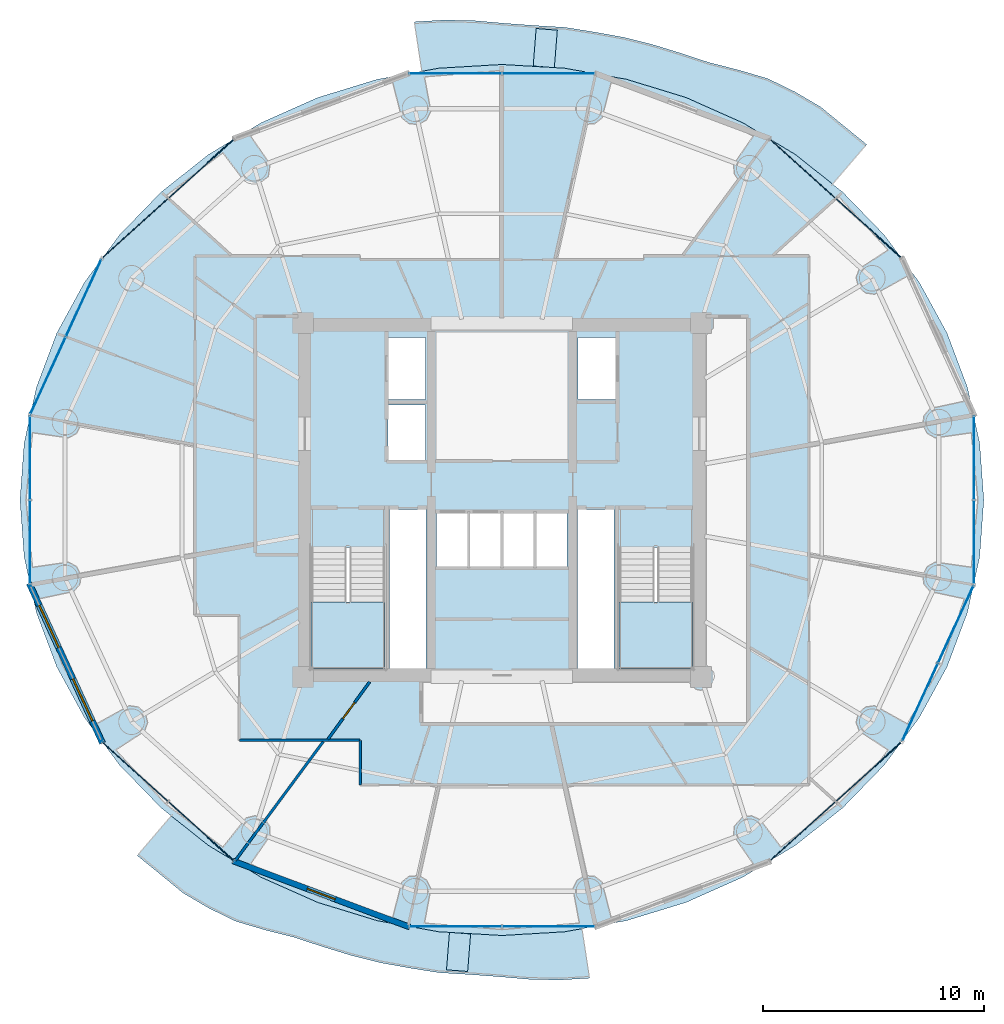
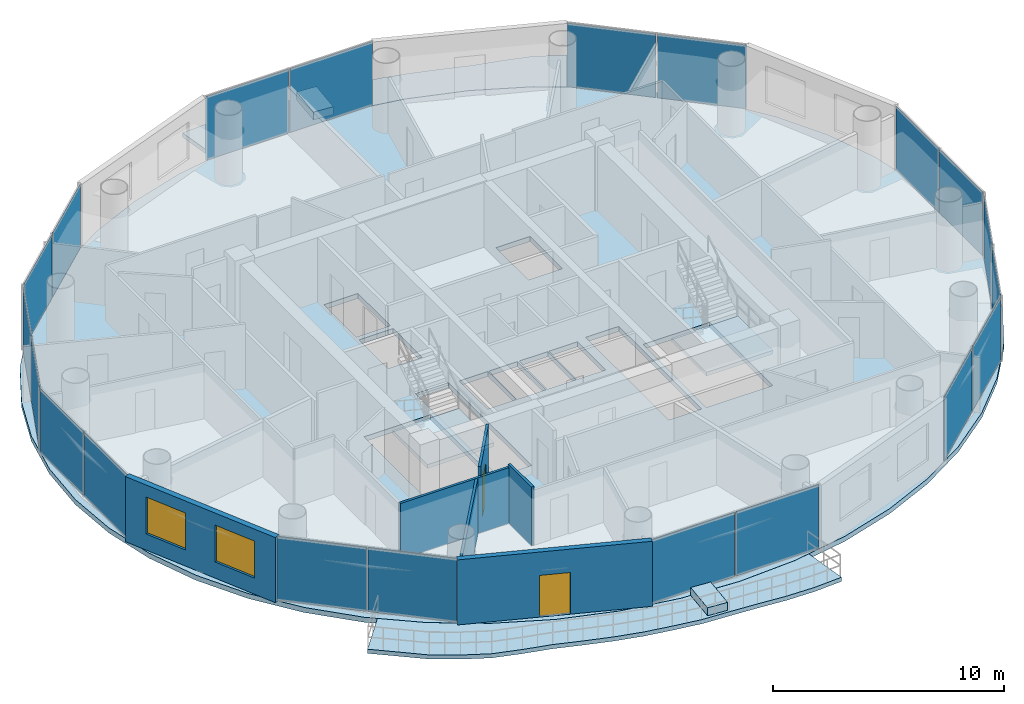
# One storey, part 19 of 27: 20 plates, 7 slabs, 6 walls, 2 doors, 2 windows, 4 openings, 12 elements without a shape of their own.
"""IFC4 building model written with IfcOpenShell, lengths in metres."""

from ifc_helpers import new_model, si_unit, direction, frame, frame_2d, origin, origin_2d, place, context, subcontext, project, spatial, polyline, rectangle, outline, extrude, source, transform, mapped, material, layer, layer_set, type_object, element, fill, aggregate, save


model = new_model("IFC4")

# Units and contexts
model_context = context("Model", 3, precision=1e-05, world=origin(), true_north=direction((-0.2419218956, 0.970295726276)))
body_context = subcontext(model_context, "Body", "Model", "MODEL_VIEW")
ifc_project = project(units=[si_unit("LENGTHUNIT", "METRE"), si_unit("AREAUNIT", "SQUARE_METRE"), si_unit("VOLUMEUNIT", "CUBIC_METRE"), si_unit("PLANEANGLEUNIT", "RADIAN"), si_unit("MASSUNIT", "GRAM", prefix="KILO")], contexts=[model_context])

# Site, building, storey
site_placement = place(None, origin())
site = spatial("IfcSite", under=ifc_project, at=site_placement, CompositionType="ELEMENT")
building_placement = place(site_placement, origin())
building = spatial("IfcBuilding", under=site, at=building_placement, Name="Cobrevalo Terracotta Tower", CompositionType="ELEMENT")
storey_placement = place(building_placement, frame((0.0, 0.0, 194.89990234375)))
storey = spatial("IfcBuildingStorey", under=building, at=storey_placement, Name="L51", CompositionType="ELEMENT", Elevation=194.89990234375)

# Stair, slab
ifc_material_1 = material(Name="Concrete C50", Category="concrete")
stair_type = type_object("IfcStairType", Name="Core protected escape dogleg stair 1600", PredefinedType="HALF_TURN_STAIR", material=ifc_material_1)
stair_1_placement = place(storey_placement, origin())
stair_1 = element("IfcStair", 1, at=stair_1_placement, inside=storey, type_object=stair_type, Name="L51 Protected exit stair ST-1", PredefinedType="HALF_TURN_STAIR")
ifc_layer_1 = layer(ifc_material_1, 0.199951171875)
ifc_layer_set_1 = layer_set([ifc_layer_1], Name="Concrete C50")
slab_type_1 = type_object("IfcSlabType", Name="Reinforced Concrete Stair Landing 200", PredefinedType="LANDING", material=ifc_layer_set_1)
slab_1_placement = place(storey_placement, frame((0.0, 0.0, 1.650146484375)))
slab_1 = element("IfcSlab", 2, at=slab_1_placement, type_object=slab_type_1, Name="ST-1 landing 1", PredefinedType="LANDING", context=body_context, shape_type="SweptSolid", body=[
    extrude(outline(polyline([(29.375, 22.179931640625), (29.375, 19.175048828125), (32.695068359375, 19.175048828125), (32.695068359375, 22.179931640625), (29.375, 22.179931640625)])), origin(), (0.0, 0.0, 1.0), 0.199951171875),
])
aggregate(stair_1, [slab_1])

stair_2_placement = place(storey_placement, origin())
stair_2 = element("IfcStair", 3, at=stair_2_placement, inside=storey, type_object=stair_type, Name="L51 Protected exit stair ST-2", PredefinedType="HALF_TURN_STAIR")
slab_2_placement = place(storey_placement, frame((0.0, 0.0, 1.650146484375)))
slab_2 = element("IfcSlab", 4, at=slab_2_placement, type_object=slab_type_1, Name="ST-2 landing 1", PredefinedType="LANDING", context=body_context, shape_type="SweptSolid", body=[
    extrude(outline(polyline([(43.304931640625, 22.179931640625), (43.304931640625, 19.175048828125), (46.625, 19.175048828125), (46.625, 22.179931640625), (43.304931640625, 22.179931640625)])), origin(), (0.0, 0.0, 1.0), 0.199951171875),
])
aggregate(stair_2, [slab_2])

# Slabs
ifc_material_2 = material(Name="Concrete C45", Category="concrete")
ifc_layer_2 = layer(ifc_material_2, 0.219970703125)
ifc_layer_set_2 = layer_set([ifc_layer_2], Name="Concrete C45")
slab_type_2 = type_object("IfcSlabType", Name="Spiralling cantilevered balcony lobe slab 220 mm", PredefinedType="FLOOR", material=ifc_layer_set_2)
slab_3_placement = place(storey_placement, frame((0.0, 0.0, -0.219970703125)))
element("IfcSlab", 5, at=slab_3_placement, inside=storey, type_object=slab_type_2, Name="L51 spiralling arc balcony slab lobe 1", PredefinedType="FLOOR", context=body_context, shape_type="SweptSolid", body=[
    extrude(outline(polyline([(54.5009765625, 42.88134765625), (53.458740234375, 43.728759765625), (52.416015625, 44.583251953125), (51.243408203125, 45.270751953125), (50.024658203125, 45.86328125), (48.705810546875, 46.252685546875), (47.386474609375, 46.5859375), (46.111083984375, 47.005859375), (44.823974609375, 47.400634765625), (43.517822265625, 47.7294921875), (42.1865234375, 47.9697265625), (40.851318359375, 48.181884765625), (39.497802734375, 48.264404296875), (38.14404296875, 48.36279296875), (36.781005859375, 48.481201171875), (35.405517578125, 48.513671875), (34.033935546875, 48.431640625), (34.375732421875, 46.193603515625), (35.154296875, 46.33349609375), (38.0, 46.501953125), (40.845703125, 46.33349609375), (43.642822265625, 45.83056640625), (46.34326171875, 45.002197265625), (48.90087890625, 43.862548828125), (51.272216796875, 42.4306640625), (52.966796875, 41.087646484375), (54.5009765625, 42.88134765625)])), origin(), (0.0, 0.0, 1.0), 0.219970703125),
])
slab_4_placement = place(storey_placement, frame((0.0, 0.0, -0.219970703125)))
element("IfcSlab", 6, at=slab_4_placement, inside=storey, type_object=slab_type_2, Name="L51 spiralling arc balcony slab lobe 2", PredefinedType="FLOOR", context=body_context, shape_type="SweptSolid", body=[
    extrude(outline(polyline([(21.4990234375, 10.71875), (22.541259765625, 9.87109375), (23.583984375, 9.016845703125), (24.756591796875, 8.3291015625), (25.975341796875, 7.73681640625), (27.294189453125, 7.347412109375), (28.613525390625, 7.013916015625), (29.888916015625, 6.593994140625), (31.176025390625, 6.199462890625), (32.482177734375, 5.87060546875), (33.8134765625, 5.630126953125), (35.148681640625, 5.41796875), (36.502197265625, 5.33544921875), (37.85595703125, 5.237060546875), (39.218994140625, 5.11865234375), (40.594482421875, 5.086181640625), (41.966064453125, 5.16845703125), (41.624267578125, 7.406494140625), (40.845703125, 7.2666015625), (38.0, 7.097900390625), (35.154296875, 7.2666015625), (32.357177734375, 7.769287109375), (29.65673828125, 8.59765625), (27.09912109375, 9.737548828125), (24.727783203125, 11.16943359375), (23.033203125, 12.512451171875), (21.4990234375, 10.71875)])), origin(), (0.0, 0.0, 1.0), 0.219970703125),
])
ifc_material_3 = material(Name="Precast concrete C45", Category="concrete")
ifc_layer_3 = layer(ifc_material_3, 0.419921875)
ifc_layer_set_3 = layer_set([ifc_layer_3], Name="Precast concrete C45")
slab_type_3 = type_object("IfcSlabType", Name="Structural tree planter trough base 420 mm", PredefinedType="USERDEFINED", material=ifc_layer_set_3)
slab_5_placement = place(storey_placement, origin())
element("IfcSlab", 7, at=slab_5_placement, inside=storey, type_object=slab_type_3, Name="L51 structural tree planter trough 1", ObjectType="PLANTER", PredefinedType="USERDEFINED", context=body_context, shape_type="SweptSolid", body=[
    extrude(outline(polyline([(40.372802734375, 46.357666015625), (40.506591796875, 48.05224609375), (39.549560546875, 48.1279296875), (39.415771484375, 46.43310546875), (40.372802734375, 46.357666015625)])), origin(), (0.0, 0.0, 1.0), 0.420166015625),
])
slab_6_placement = place(storey_placement, origin())
element("IfcSlab", 8, at=slab_6_placement, inside=storey, type_object=slab_type_3, Name="L51 structural tree planter trough 2", ObjectType="PLANTER", PredefinedType="USERDEFINED", context=body_context, shape_type="SweptSolid", body=[
    extrude(outline(polyline([(35.627197265625, 7.242431640625), (35.493408203125, 5.547607421875), (36.450439453125, 5.47216796875), (36.584228515625, 7.166748046875), (35.627197265625, 7.242431640625)])), origin(), (0.0, 0.0, 1.0), 0.420166015625),
])
ifc_layer_4 = layer(ifc_material_2, 0.264892578125)
ifc_layer_set_4 = layer_set([ifc_layer_4], Name="Concrete C45")
slab_type_4 = type_object("IfcSlabType", Name="Zone Z4 elliptical floor plate 265 mm", PredefinedType="FLOOR", material=ifc_layer_set_4)
slab_7_placement = place(storey_placement, frame((0.0, 0.0, -0.264892578125)))
element("IfcSlab", 9, at=slab_7_placement, inside=storey, type_object=slab_type_4, Name="L51 indoor elliptical floor slab", PredefinedType="FLOOR", context=body_context, shape_type="SweptSolid", body=[
    extrude(outline(polyline([(59.613525390625, 24.228515625), (59.05712890625, 21.701171875), (58.140625, 19.26123046875), (56.87939453125, 16.949951171875), (55.295166015625, 14.807373046875), (53.4150390625, 12.8701171875), (51.27099609375, 11.1708984375), (48.89990234375, 9.7392578125), (46.342529296875, 8.599609375), (43.642333984375, 7.771240234375), (40.845458984375, 7.2685546875), (38.0, 7.10009765625), (35.154541015625, 7.2685546875), (32.357666015625, 7.771240234375), (29.657470703125, 8.599609375), (27.10009765625, 9.7392578125), (24.72900390625, 11.1708984375), (22.5849609375, 12.8701171875), (20.704833984375, 14.807373046875), (19.12060546875, 16.949951171875), (17.859375, 19.26123046875), (16.94287109375, 21.701171875), (16.386474609375, 24.228515625), (16.199951171875, 26.800048828125), (16.386474609375, 29.371337890625), (16.94287109375, 31.898681640625), (17.859375, 34.3388671875), (19.12060546875, 36.64990234375), (20.704833984375, 38.79248046875), (22.5849609375, 40.72998046875), (24.72900390625, 42.428955078125), (27.10009765625, 43.860595703125), (29.657470703125, 45.00048828125), (32.357666015625, 45.828857421875), (35.154541015625, 46.33154296875), (38.0, 46.5), (40.845458984375, 46.33154296875), (43.642333984375, 45.828857421875), (46.342529296875, 45.00048828125), (48.89990234375, 43.860595703125), (51.27099609375, 42.428955078125), (53.4150390625, 40.72998046875), (55.295166015625, 38.79248046875), (56.87939453125, 36.64990234375), (58.140625, 34.3388671875), (59.05712890625, 31.898681640625), (59.613525390625, 29.371337890625), (59.800048828125, 26.800048828125), (59.613525390625, 24.228515625)]), holes=[polyline([(32.695068359375, 19.175048828125), (32.695068359375, 24.659912109375), (29.375, 24.659912109375), (29.375, 19.175048828125), (32.695068359375, 19.175048828125)]), polyline([(34.574951171875, 26.360107421875), (32.919921875, 26.360107421875), (32.919921875, 19.175048828125), (34.574951171875, 19.175048828125), (34.574951171875, 26.360107421875)]), polyline([(36.47998046875, 26.25), (35.050048828125, 26.25), (35.050048828125, 23.800048828125), (36.47998046875, 23.800048828125), (36.47998046875, 26.25)]), polyline([(37.9599609375, 23.800048828125), (37.9599609375, 26.25), (36.530029296875, 26.25), (36.530029296875, 23.800048828125), (37.9599609375, 23.800048828125)]), polyline([(34.550048828125, 28.60009765625), (34.550048828125, 31.10009765625), (32.85009765625, 31.10009765625), (32.85009765625, 28.60009765625), (34.550048828125, 28.60009765625)]), polyline([(34.550048828125, 34.14990234375), (32.85009765625, 34.14990234375), (32.85009765625, 31.35009765625), (34.550048828125, 31.35009765625), (34.550048828125, 34.14990234375)]), polyline([(43.304931640625, 19.175048828125), (46.625, 19.175048828125), (46.625, 24.659912109375), (43.304931640625, 24.659912109375), (43.304931640625, 19.175048828125)]), polyline([(43.080078125, 19.175048828125), (43.080078125, 26.360107421875), (41.425048828125, 26.360107421875), (41.425048828125, 19.175048828125), (43.080078125, 19.175048828125)]), polyline([(39.469970703125, 26.25), (38.0400390625, 26.25), (38.0400390625, 23.800048828125), (39.469970703125, 23.800048828125), (39.469970703125, 26.25)]), polyline([(40.949951171875, 23.800048828125), (40.949951171875, 26.25), (39.52001953125, 26.25), (39.52001953125, 23.800048828125), (40.949951171875, 23.800048828125)]), polyline([(43.14990234375, 31.35009765625), (43.14990234375, 34.14990234375), (41.449951171875, 34.14990234375), (41.449951171875, 31.35009765625), (43.14990234375, 31.35009765625)])]), origin(), (0.0, 0.0, 1.0), 0.264892578125),
])

# Curtain wall, plates
ifc_material_4 = material(Name="Anodized aluminium", Category="aluminium")
curtain_wall_type = type_object("IfcCurtainWallType", Name="Mid-tower high-wind unitised curtain wall CW-U2", PredefinedType="NOTDEFINED", material=ifc_material_4)
curtain_wall_1_placement = place(storey_placement, origin())
curtain_wall_1 = element("IfcCurtainWall", 10, at=curtain_wall_1_placement, inside=storey, type_object=curtain_wall_type, Name="L51 curtain wall CW-L51-S02", PredefinedType="NOTDEFINED")
ifc_material_5 = material(Name="Solar-control low-E double glazing", Category="glass")
ifc_layer_5 = layer(ifc_material_5, 0.028076171875)
ifc_layer_set_5 = layer_set([ifc_layer_5], Name="Solar-control low-E double glazing")
plate_type = type_object("IfcPlateType", Name="Tower solar-control low-E vision glass panel 28 mm", PredefinedType="CURTAIN_PANEL", material=ifc_layer_set_5)
shared_shape_1 = source(origin(), body_context, "Body", "SweptSolid", [
    extrude(rectangle(XDim=3.927490234375, YDim=0.035888671875, at=origin_2d()), origin(), (0.0, 0.0, 1.0), 3.35498046875),
])
plate_1_placement = place(storey_placement, frame((54.584716796875, 39.09814453125, 0.0400390625), z_axis=(0.0, 0.0, 1.0), x_axis=(-0.741987542015, 0.670413668935, 0.0)))
plate_1 = element("IfcPlate", 11, at=plate_1_placement, type_object=plate_type, Name="CW-L51-S02 glazing panel B01", PredefinedType="CURTAIN_PANEL", context=body_context, shape_type="MappedRepresentation", body=[
    mapped(shared_shape_1, transform((0.0, 0.0, 0.0), scale=1.0)),
])
plate_2_placement = place(storey_placement, frame((51.611083984375, 41.784912109375, 0.0400390625), z_axis=(0.0, 0.0, 1.0), x_axis=(-0.741987542015, 0.670413668935, 0.0)))
plate_2 = element("IfcPlate", 12, at=plate_2_placement, type_object=plate_type, Name="CW-L51-S02 glazing panel B02", PredefinedType="CURTAIN_PANEL", context=body_context, shape_type="MappedRepresentation", body=[
    mapped(shared_shape_1, transform((0.0, 0.0, 0.0), scale=1.0)),
])
aggregate(curtain_wall_1, [plate_1, plate_2])

curtain_wall_2_placement = place(storey_placement, origin())
curtain_wall_2 = element("IfcCurtainWall", 13, at=curtain_wall_2_placement, inside=storey, type_object=curtain_wall_type, Name="L51 curtain wall CW-L51-S06", PredefinedType="NOTDEFINED")
plate_3_placement = place(storey_placement, frame((24.388916015625, 41.784912109375, 0.0400390625), z_axis=(0.0, 0.0, 1.0), x_axis=(-0.741987542015, -0.670413668935, 0.0)))
plate_3 = element("IfcPlate", 14, at=plate_3_placement, type_object=plate_type, Name="CW-L51-S06 glazing panel B01", PredefinedType="CURTAIN_PANEL", context=body_context, shape_type="MappedRepresentation", body=[
    mapped(shared_shape_1, transform((0.0, 0.0, 0.0), scale=1.0)),
])
plate_4_placement = place(storey_placement, frame((21.415283203125, 39.09814453125, 0.0400390625), z_axis=(0.0, 0.0, 1.0), x_axis=(-0.741987542015, -0.670413668935, 0.0)))
plate_4 = element("IfcPlate", 15, at=plate_4_placement, type_object=plate_type, Name="CW-L51-S06 glazing panel B02", PredefinedType="CURTAIN_PANEL", context=body_context, shape_type="MappedRepresentation", body=[
    mapped(shared_shape_1, transform((0.0, 0.0, 0.0), scale=1.0)),
])
aggregate(curtain_wall_2, [plate_3, plate_4])

curtain_wall_3_placement = place(storey_placement, origin())
curtain_wall_3 = element("IfcCurtainWall", 16, at=curtain_wall_3_placement, inside=storey, type_object=curtain_wall_type, Name="L51 curtain wall CW-L51-S10", PredefinedType="NOTDEFINED")
plate_5_placement = place(storey_placement, frame((21.415283203125, 14.501708984375, 0.0400390625), z_axis=(0.0, 0.0, 1.0), x_axis=(0.741987542015, -0.670413668935, 0.0)))
plate_5 = element("IfcPlate", 17, at=plate_5_placement, type_object=plate_type, Name="CW-L51-S10 glazing panel B01", PredefinedType="CURTAIN_PANEL", context=body_context, shape_type="MappedRepresentation", body=[
    mapped(shared_shape_1, transform((0.0, 0.0, 0.0), scale=1.0)),
])
plate_6_placement = place(storey_placement, frame((24.388916015625, 11.815185546875, 0.0400390625), z_axis=(0.0, 0.0, 1.0), x_axis=(0.741987542015, -0.670413668935, 0.0)))
plate_6 = element("IfcPlate", 18, at=plate_6_placement, type_object=plate_type, Name="CW-L51-S10 glazing panel B02", PredefinedType="CURTAIN_PANEL", context=body_context, shape_type="MappedRepresentation", body=[
    mapped(shared_shape_1, transform((0.0, 0.0, 0.0), scale=1.0)),
])
aggregate(curtain_wall_3, [plate_5, plate_6])

curtain_wall_4_placement = place(storey_placement, origin())
curtain_wall_4 = element("IfcCurtainWall", 19, at=curtain_wall_4_placement, inside=storey, type_object=curtain_wall_type, Name="L51 curtain wall CW-L51-S14", PredefinedType="NOTDEFINED")
plate_7_placement = place(storey_placement, frame((51.611083984375, 11.815185546875, 0.0400390625), z_axis=(0.0, 0.0, 1.0), x_axis=(0.741987542015, 0.670413668935, 0.0)))
plate_7 = element("IfcPlate", 20, at=plate_7_placement, type_object=plate_type, Name="CW-L51-S14 glazing panel B01", PredefinedType="CURTAIN_PANEL", context=body_context, shape_type="MappedRepresentation", body=[
    mapped(shared_shape_1, transform((0.0, 0.0, 0.0), scale=1.0)),
])
plate_8_placement = place(storey_placement, frame((54.584716796875, 14.501708984375, 0.0400390625), z_axis=(0.0, 0.0, 1.0), x_axis=(0.741987542015, 0.670413668935, 0.0)))
plate_8 = element("IfcPlate", 21, at=plate_8_placement, type_object=plate_type, Name="CW-L51-S14 glazing panel B02", PredefinedType="CURTAIN_PANEL", context=body_context, shape_type="MappedRepresentation", body=[
    mapped(shared_shape_1, transform((0.0, 0.0, 0.0), scale=1.0)),
])
aggregate(curtain_wall_4, [plate_7, plate_8])

curtain_wall_5_placement = place(storey_placement, origin())
curtain_wall_5 = element("IfcCurtainWall", 22, at=curtain_wall_5_placement, inside=storey, type_object=curtain_wall_type, Name="L51 curtain wall CW-L51-S04", PredefinedType="NOTDEFINED")
shared_shape_2 = source(origin(), body_context, "Body", "SweptSolid", [
    extrude(rectangle(XDim=4.127197265625, YDim=0.035888671875, at=origin_2d()), origin(), (0.0, 0.0, 1.0), 3.35498046875),
])
plate_9_placement = place(storey_placement, frame((40.103515625, 46.092041015625, 0.0400390625), z_axis=(0.0, 0.0, 1.0), x_axis=(-1.0, 0.0, 0.0)))
plate_9 = element("IfcPlate", 23, at=plate_9_placement, type_object=plate_type, Name="CW-L51-S04 glazing panel B01", PredefinedType="CURTAIN_PANEL", context=body_context, shape_type="MappedRepresentation", body=[
    mapped(shared_shape_2, transform((0.0, 0.0, 0.0), scale=1.0)),
])
plate_10_placement = place(storey_placement, frame((35.896484375, 46.092041015625, 0.0400390625), z_axis=(0.0, 0.0, 1.0), x_axis=(-1.0, 0.0, 0.0)))
plate_10 = element("IfcPlate", 24, at=plate_10_placement, type_object=plate_type, Name="CW-L51-S04 glazing panel B02", PredefinedType="CURTAIN_PANEL", context=body_context, shape_type="MappedRepresentation", body=[
    mapped(shared_shape_2, transform((0.0, 0.0, 0.0), scale=1.0)),
])
aggregate(curtain_wall_5, [plate_9, plate_10])

curtain_wall_6_placement = place(storey_placement, origin())
curtain_wall_6 = element("IfcCurtainWall", 25, at=curtain_wall_6_placement, inside=storey, type_object=curtain_wall_type, Name="L51 curtain wall CW-L51-S12", PredefinedType="NOTDEFINED")
plate_11_placement = place(storey_placement, frame((35.896484375, 7.508056640625, 0.0400390625), z_axis=(0.0, 0.0, 1.0), x_axis=(1.0, 0.0, 0.0)))
plate_11 = element("IfcPlate", 26, at=plate_11_placement, type_object=plate_type, Name="CW-L51-S12 glazing panel B01", PredefinedType="CURTAIN_PANEL", context=body_context, shape_type="MappedRepresentation", body=[
    mapped(shared_shape_2, transform((0.0, 0.0, 0.0), scale=1.0)),
])
plate_12_placement = place(storey_placement, frame((40.103515625, 7.508056640625, 0.0400390625), z_axis=(0.0, 0.0, 1.0), x_axis=(1.0, 0.0, 0.0)))
plate_12 = element("IfcPlate", 27, at=plate_12_placement, type_object=plate_type, Name="CW-L51-S12 glazing panel B02", PredefinedType="CURTAIN_PANEL", context=body_context, shape_type="MappedRepresentation", body=[
    mapped(shared_shape_2, transform((0.0, 0.0, 0.0), scale=1.0)),
])
aggregate(curtain_wall_6, [plate_11, plate_12])

curtain_wall_7_placement = place(storey_placement, origin())
curtain_wall_7 = element("IfcCurtainWall", 28, at=curtain_wall_7_placement, inside=storey, type_object=curtain_wall_type, Name="L51 curtain wall CW-L51-S07", PredefinedType="NOTDEFINED")
shared_shape_3 = source(origin(), body_context, "Body", "SweptSolid", [
    extrude(rectangle(XDim=3.780029296875, YDim=0.035888671875, at=origin_2d()), origin(), (0.0, 0.0, 1.0), 3.35498046875),
])
plate_13_placement = place(storey_placement, frame((19.077880859375, 35.937255859375, 0.0400390625), z_axis=(0.0, 0.0, 1.0), x_axis=(-0.416731425355, -0.909029657999, 0.0)))
plate_13 = element("IfcPlate", 29, at=plate_13_placement, type_object=plate_type, Name="CW-L51-S07 glazing panel B01", PredefinedType="CURTAIN_PANEL", context=body_context, shape_type="MappedRepresentation", body=[
    mapped(shared_shape_3, transform((0.0, 0.0, 0.0), scale=1.0)),
])
plate_14_placement = place(storey_placement, frame((17.46923828125, 32.42822265625, 0.0400390625), z_axis=(0.0, 0.0, 1.0), x_axis=(-0.416731425355, -0.909029657999, 0.0)))
plate_14 = element("IfcPlate", 30, at=plate_14_placement, type_object=plate_type, Name="CW-L51-S07 glazing panel B02", PredefinedType="CURTAIN_PANEL", context=body_context, shape_type="MappedRepresentation", body=[
    mapped(shared_shape_3, transform((0.0, 0.0, 0.0), scale=1.0)),
])
aggregate(curtain_wall_7, [plate_13, plate_14])

curtain_wall_8_placement = place(storey_placement, origin())
curtain_wall_8 = element("IfcCurtainWall", 31, at=curtain_wall_8_placement, inside=storey, type_object=curtain_wall_type, Name="L51 curtain wall CW-L51-S15", PredefinedType="NOTDEFINED")
plate_15_placement = place(storey_placement, frame((56.922119140625, 17.662841796875, 0.0400390625), z_axis=(0.0, 0.0, 1.0), x_axis=(0.416731425355, 0.909029657999, 0.0)))
plate_15 = element("IfcPlate", 32, at=plate_15_placement, type_object=plate_type, Name="CW-L51-S15 glazing panel B01", PredefinedType="CURTAIN_PANEL", context=body_context, shape_type="MappedRepresentation", body=[
    mapped(shared_shape_3, transform((0.0, 0.0, 0.0), scale=1.0)),
])
plate_16_placement = place(storey_placement, frame((58.53076171875, 21.171630859375, 0.0400390625), z_axis=(0.0, 0.0, 1.0), x_axis=(0.416731425355, 0.909029657999, 0.0)))
plate_16 = element("IfcPlate", 33, at=plate_16_placement, type_object=plate_type, Name="CW-L51-S15 glazing panel B02", PredefinedType="CURTAIN_PANEL", context=body_context, shape_type="MappedRepresentation", body=[
    mapped(shared_shape_3, transform((0.0, 0.0, 0.0), scale=1.0)),
])
aggregate(curtain_wall_8, [plate_15, plate_16])

curtain_wall_9_placement = place(storey_placement, origin())
curtain_wall_9 = element("IfcCurtainWall", 34, at=curtain_wall_9_placement, inside=storey, type_object=curtain_wall_type, Name="L51 curtain wall CW-L51-S08", PredefinedType="NOTDEFINED")
shared_shape_4 = source(origin(), body_context, "Body", "SweptSolid", [
    extrude(rectangle(XDim=3.71728515625, YDim=0.035888671875, at=origin_2d()), origin(), (0.0, 0.0, 1.0), 3.35498046875),
])
plate_17_placement = place(storey_placement, frame((16.648193359375, 28.69873046875, 0.0400390625), z_axis=(0.0, 0.0, 1.0), x_axis=(0.0, -1.0, 0.0)))
plate_17 = element("IfcPlate", 35, at=plate_17_placement, type_object=plate_type, Name="CW-L51-S08 glazing panel B01", PredefinedType="CURTAIN_PANEL", context=body_context, shape_type="MappedRepresentation", body=[
    mapped(shared_shape_4, transform((0.0, 0.0, 0.0), scale=1.0)),
])
plate_18_placement = place(storey_placement, frame((16.648193359375, 24.9013671875, 0.0400390625), z_axis=(0.0, 0.0, 1.0), x_axis=(0.0, -1.0, 0.0)))
plate_18 = element("IfcPlate", 36, at=plate_18_placement, type_object=plate_type, Name="CW-L51-S08 glazing panel B02", PredefinedType="CURTAIN_PANEL", context=body_context, shape_type="MappedRepresentation", body=[
    mapped(shared_shape_4, transform((0.0, 0.0, 0.0), scale=1.0)),
])
aggregate(curtain_wall_9, [plate_17, plate_18])

curtain_wall_10_placement = place(storey_placement, origin())
curtain_wall_10 = element("IfcCurtainWall", 37, at=curtain_wall_10_placement, inside=storey, type_object=curtain_wall_type, Name="L51 curtain wall CW-L51-S16", PredefinedType="NOTDEFINED")
plate_19_placement = place(storey_placement, frame((59.351806640625, 24.9013671875, 0.0400390625), z_axis=(0.0, 0.0, 1.0), x_axis=(0.0, 1.0, 0.0)))
plate_19 = element("IfcPlate", 38, at=plate_19_placement, type_object=plate_type, Name="CW-L51-S16 glazing panel B01", PredefinedType="CURTAIN_PANEL", context=body_context, shape_type="MappedRepresentation", body=[
    mapped(shared_shape_4, transform((0.0, 0.0, 0.0), scale=1.0)),
])
plate_20_placement = place(storey_placement, frame((59.351806640625, 28.69873046875, 0.0400390625), z_axis=(0.0, 0.0, 1.0), x_axis=(0.0, 1.0, 0.0)))
plate_20 = element("IfcPlate", 39, at=plate_20_placement, type_object=plate_type, Name="CW-L51-S16 glazing panel B02", PredefinedType="CURTAIN_PANEL", context=body_context, shape_type="MappedRepresentation", body=[
    mapped(shared_shape_4, transform((0.0, 0.0, 0.0), scale=1.0)),
])
aggregate(curtain_wall_10, [plate_19, plate_20])

# Wall, openings, windows
ifc_material_6 = material(Name="Autoclaved aerated concrete block", Category="concrete")
ifc_layer_6 = layer(ifc_material_6, 0.280029296875)
ifc_layer_set_6 = layer_set([ifc_layer_6], Name="Autoclaved aerated concrete block")
wall_type_1 = type_object("IfcWallType", Name="Insulated tower spandrel & pier wall 280 mm with terracotta rainscreen", PredefinedType="SOLIDWALL", material=ifc_layer_set_6)
wall_1_placement = place(storey_placement, frame((16.614990234375, 23.035400390625, 0.0), z_axis=(0.0, 0.0, 1.0), x_axis=(0.416717018135, -0.909036262641, 0.0)))
wall_1 = element("IfcWall", 40, at=wall_1_placement, inside=storey, type_object=wall_type_1, Name="L51 terracotta rainscreen pier wall S09", PredefinedType="SOLIDWALL", context=body_context, shape_type="SweptSolid", body=[
    extrude(rectangle(XDim=7.960205078125, YDim=0.280029296875, at=frame_2d((3.97998046875, 0.0))), origin(), (0.0, 0.0, 1.0), 3.43505859375),
])
opening_1_placement = place(wall_1_placement, frame((1.099365234375, 0.0, 0.85009765625)))
opening_1 = element("IfcOpeningElement", 41, at=opening_1_placement, cuts=wall_1, Name="Opening WN-10", PredefinedType="OPENING", context=body_context, shape_type="SweptSolid", body=[
    extrude(rectangle(XDim=2.10009765625, YDim=1.949951171875, at=frame_2d((1.050048828125, 0.97509765625))), frame((0.0, 0.14990234375, 0.0), z_axis=(0.0, -1.0, 0.0), x_axis=(1.0, 0.0, 0.0)), (0.0, 0.0, 1.0), 0.300048828125),
])
opening_2_placement = place(wall_1_placement, frame((4.760986328125, 0.0, 0.85009765625)))
opening_2 = element("IfcOpeningElement", 42, at=opening_2_placement, cuts=wall_1, Name="Opening WN-10", PredefinedType="OPENING", context=body_context, shape_type="SweptSolid", body=[
    extrude(rectangle(XDim=2.10009765625, YDim=1.949951171875, at=frame_2d((1.050048828125, 0.97509765625))), frame((0.0, 0.14990234375, 0.0), z_axis=(0.0, -1.0, 0.0), x_axis=(1.0, 0.0, 0.0)), (0.0, 0.0, 1.0), 0.300048828125),
])
window_type = type_object("IfcWindowType", Name="Wide panoramic low-E aluminium window 2100x1950", PartitioningType="SINGLE_PANEL", PredefinedType="WINDOW", material=ifc_material_5)
shared_shape_5 = source(origin(), body_context, "Body", "SweptSolid", [
    extrude(rectangle(XDim=2.10009765625, YDim=1.949951171875, at=frame_2d((1.050048828125, 0.97509765625))), frame((0.0, 0.030029296875, 0.0), z_axis=(0.0, -1.0, 0.0), x_axis=(1.0, 0.0, 0.0)), (0.0, 0.0, 1.0), 0.06005859375),
])
window_1_placement = place(opening_1_placement, origin())
window_1 = element("IfcWindow", 43, at=window_1_placement, inside=storey, type_object=window_type, Name="L51 suite window S09A", OverallHeight=1.949951171875, OverallWidth=2.10009765625, PartitioningType="SINGLE_PANEL", PredefinedType="WINDOW", context=body_context, shape_type="MappedRepresentation", body=[
    mapped(shared_shape_5, transform((0.0, 0.0, 0.0), scale=1.0)),
])
fill(opening_1, window_1)
window_2_placement = place(opening_2_placement, origin())
window_2 = element("IfcWindow", 44, at=window_2_placement, inside=storey, type_object=window_type, Name="L51 suite window S09B", OverallHeight=1.949951171875, OverallWidth=2.10009765625, PartitioningType="SINGLE_PANEL", PredefinedType="WINDOW", context=body_context, shape_type="MappedRepresentation", body=[
    mapped(shared_shape_5, transform((0.0, 0.0, 0.0), scale=1.0)),
])
fill(opening_2, window_2)

# Wall, opening, door
ifc_layer_7 = layer(ifc_material_6, 0.260009765625)
ifc_layer_set_7 = layer_set([ifc_layer_7], Name="Autoclaved aerated concrete block")
wall_type_2 = type_object("IfcWallType", Name="Recessed balcony loggia insulated exterior wall 260 mm", PredefinedType="SOLIDWALL", material=ifc_layer_set_7)
wall_2_placement = place(storey_placement, frame((25.830322265625, 10.47314453125, 0.0), z_axis=(0.0, 0.0, 1.0), x_axis=(0.936556918375, -0.350515532672, 0.0)))
wall_2 = element("IfcWall", 45, at=wall_2_placement, inside=storey, type_object=wall_type_2, Name="L51 balcony loggia wall S11", PredefinedType="SOLIDWALL", context=body_context, shape_type="SweptSolid", body=[
    extrude(rectangle(XDim=8.539306640625, YDim=0.260009765625, at=frame_2d((4.26953125, 0.0))), origin(), (0.0, 0.0, 1.0), 3.43505859375),
])
opening_3_placement = place(wall_2_placement, frame((3.594482421875, 0.0, 0.0)))
opening_3 = element("IfcOpeningElement", 46, at=opening_3_placement, cuts=wall_2, Name="Opening ED-05", PredefinedType="OPENING", context=body_context, shape_type="SweptSolid", body=[
    extrude(rectangle(XDim=1.35009765625, YDim=2.199951171875, at=frame_2d((0.675048828125, 1.10009765625))), frame((0.0, 0.14013671875, 0.0), z_axis=(0.0, -1.0, 0.0), x_axis=(1.0, 0.0, 0.0)), (0.0, 0.0, 1.0), 0.280029296875),
])
ifc_material_7 = material(Name="Anodized aluminium and laminated glass", Category="aluminium")
door_type_1 = type_object("IfcDoorType", Name="Suite balcony acoustic glazed terrace door 1350x2200", OperationType="NOTDEFINED", PredefinedType="DOOR", material=ifc_material_7)
shared_shape_6 = source(origin(), body_context, "Body", "SweptSolid", [
    extrude(rectangle(XDim=1.35009765625, YDim=2.199951171875, at=frame_2d((0.675048828125, 1.10009765625))), frame((0.0, 0.02490234375, 0.0), z_axis=(0.0, -1.0, 0.0), x_axis=(1.0, 0.0, 0.0)), (0.0, 0.0, 1.0), 0.050048828125),
])
door_1_placement = place(opening_3_placement, frame((1.35009765625, 0.0, 0.0), z_axis=(0.0, 0.0, 1.0), x_axis=(-1.0, 0.0, 0.0)))
door_1 = element("IfcDoor", 47, at=door_1_placement, inside=storey, type_object=door_type_1, Name="L51 glazed balcony terrace door 2", OperationType="SINGLE_SWING_RIGHT", OverallHeight=2.199951171875, OverallWidth=1.35009765625, PredefinedType="DOOR", context=body_context, shape_type="MappedRepresentation", body=[
    mapped(shared_shape_6, transform((0.0, 0.0, 0.0), scale=1.0)),
])
fill(opening_3, door_1)

# Walls
ifc_material_8 = material(Name="Gypsum board on steel stud", Category="steel")
ifc_layer_8 = layer(ifc_material_8, 0.1201171875)
ifc_layer_set_8 = layer_set([ifc_layer_8], Name="Gypsum board on steel stud")
wall_type_3 = type_object("IfcWallType", Name="Residential internal acoustic stud partition 120 mm", PredefinedType="PARTITIONING", material=ifc_layer_set_8)
wall_3_placement = place(storey_placement, frame((31.590087890625, 13.9150390625, 0.0), z_axis=(0.0, 0.0, 1.0), x_axis=(0.0, 1.0, 0.0)))
element("IfcWall", 48, at=wall_3_placement, inside=storey, type_object=wall_type_3, Name="L51 interior partition IW-L51-U3-RING1_0", PredefinedType="PARTITIONING", context=body_context, shape_type="SweptSolid", body=[
    extrude(rectangle(XDim=2.010009765625, YDim=0.1201171875, at=frame_2d((1.0048828125, 0.0))), origin(), (0.0, 0.0, 1.0), 3.110107421875),
])
wall_4_placement = place(storey_placement, frame((31.590087890625, 15.925048828125, 0.0), z_axis=(0.0, 0.0, 1.0), x_axis=(-1.0, 0.0, 0.0)))
element("IfcWall", 49, at=wall_4_placement, inside=storey, type_object=wall_type_3, Name="L51 interior partition IW-L51-U3-RING2_0", PredefinedType="PARTITIONING", context=body_context, shape_type="SweptSolid", body=[
    extrude(rectangle(XDim=5.465087890625, YDim=0.1201171875, at=frame_2d((2.732421875, 0.0))), origin(), (0.0, 0.0, 1.0), 2.951171875),
])
wall_5_placement = place(storey_placement, frame((29.922119140625, 15.875244140625, 0.0), z_axis=(0.0, 0.0, 1.0), x_axis=(-0.594524636617, -0.804077394568, 0.0)))
element("IfcWall", 50, at=wall_5_placement, inside=storey, type_object=wall_type_3, Name="L51 interior partition IW-L51-U3-ORAD1", PredefinedType="PARTITIONING", context=body_context, shape_type="SweptSolid", body=[
    extrude(rectangle(XDim=6.680419921875, YDim=0.1201171875, at=frame_2d((3.34033203125, 0.0))), origin(), (0.0, 0.0, 1.0), 2.951171875),
])

# Wall, opening, door
wall_6_placement = place(storey_placement, frame((32.019287109375, 18.574951171875, 0.0), z_axis=(0.0, 0.0, 1.0), x_axis=(-0.588135570825, -0.808762357143, 0.0)))
wall_6 = element("IfcWall", 51, at=wall_6_placement, inside=storey, type_object=wall_type_3, Name="L51 interior partition IW-L51-U3-IRAD2", PredefinedType="PARTITIONING", context=body_context, shape_type="SweptSolid", body=[
    extrude(rectangle(XDim=3.214599609375, YDim=0.1201171875, at=frame_2d((1.607421875, 0.0))), origin(), (0.0, 0.0, 1.0), 3.43505859375),
])
opening_4_placement = place(wall_6_placement, frame((1.1572265625, 0.0, 0.0)))
opening_4 = element("IfcOpeningElement", 52, at=opening_4_placement, cuts=wall_6, Name="Opening ID-12", PredefinedType="OPENING", context=body_context, shape_type="SweptSolid", body=[
    extrude(rectangle(XDim=0.89990234375, YDim=2.14990234375, at=frame_2d((0.449951171875, 1.074951171875))), frame((0.0, 0.070068359375, 0.0), z_axis=(0.0, -1.0, 0.0), x_axis=(1.0, 0.0, 0.0)), (0.0, 0.0, 1.0), 0.14013671875),
])
ifc_material_9 = material(Name="Engineered timber", Category="wood")
door_type_2 = type_object("IfcDoorType", Name="Internal residence & suite timber door 900x2150", OperationType="NOTDEFINED", PredefinedType="DOOR", material=ifc_material_9)
shared_shape_7 = source(origin(), body_context, "Body", "SweptSolid", [
    extrude(rectangle(XDim=0.89990234375, YDim=2.14990234375, at=frame_2d((0.449951171875, 1.074951171875))), frame((0.0, 0.02490234375, 0.0), z_axis=(0.0, -1.0, 0.0), x_axis=(1.0, 0.0, 0.0)), (0.0, 0.0, 1.0), 0.050048828125),
])
door_2_placement = place(opening_4_placement, frame((0.89990234375, 0.0, 0.0), z_axis=(0.0, 0.0, 1.0), x_axis=(-1.0, 0.0, 0.0)))
door_2 = element("IfcDoor", 53, at=door_2_placement, inside=storey, type_object=door_type_2, Name="Flat L51C Reception Hallway internal door", OperationType="SINGLE_SWING_RIGHT", OverallHeight=2.14990234375, OverallWidth=0.89990234375, PredefinedType="DOOR", context=body_context, shape_type="MappedRepresentation", body=[
    mapped(shared_shape_7, transform((0.0, 0.0, 0.0), scale=1.0)),
])
fill(opening_4, door_2)

save(model, "model.ifc")
